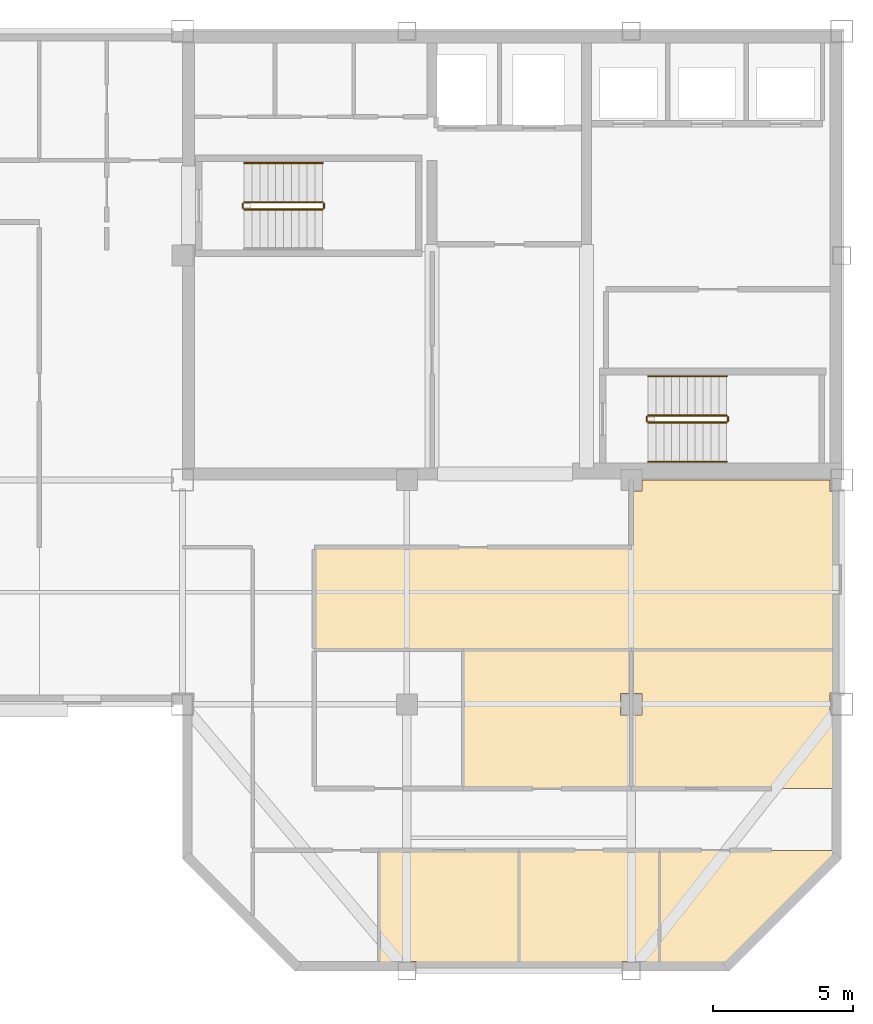
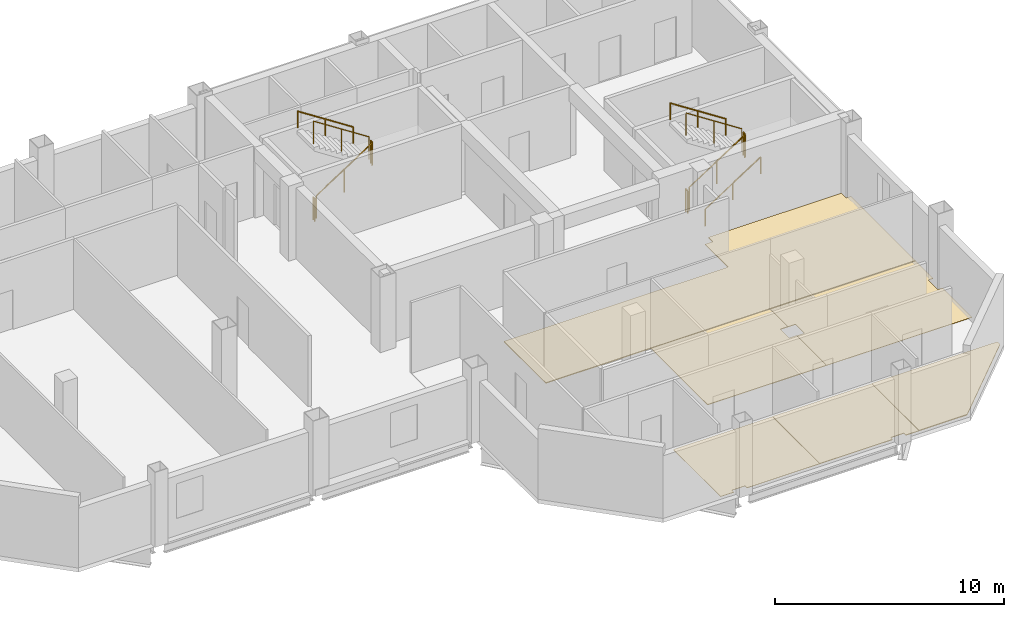
# One storey, part 6 of 7: 11 railings, 6 coverings.
"""IFC4 building model written with IfcOpenShell, lengths in metres."""

from ifc_helpers import new_model, si_unit, direction, frame, origin, origin_2d, place, context, subcontext, project, spatial, polyline, circle, outline, extrude, material, layer, layer_set, type_object, element, save


model = new_model("IFC4")

# Units and contexts
model_context = context("Model", 3, precision=1e-05, world=origin(), true_north=direction((0.0, 1.0)))
body_context = subcontext(model_context, "Body", "Model", "MODEL_VIEW")
ifc_project = project(units=[si_unit("LENGTHUNIT", "METRE"), si_unit("AREAUNIT", "SQUARE_METRE"), si_unit("VOLUMEUNIT", "CUBIC_METRE"), si_unit("PLANEANGLEUNIT", "RADIAN"), si_unit("MASSUNIT", "GRAM", prefix="KILO")], contexts=[model_context])

# Site, building, storey
site_placement = place(None, origin())
site = spatial("IfcSite", under=ifc_project, at=site_placement, CompositionType="ELEMENT")
building_placement = place(site_placement, origin())
building = spatial("IfcBuilding", under=site, at=building_placement, Name="Qianrong Seaharbour Tower", CompositionType="ELEMENT")
storey_placement = place(building_placement, frame((0.0, 0.0, 351.199951171875)))
storey = spatial("IfcBuildingStorey", under=building, at=storey_placement, Name="L85", CompositionType="ELEMENT", Elevation=351.199951171875)

# Coverings
ifc_material_1 = material(Name="Acoustic modular carpet tile flooring")
ifc_layer_1 = layer(ifc_material_1, 0.02001953125)
ifc_layer_set_1 = layer_set([ifc_layer_1], Name="Acoustic modular carpet tile flooring")
covering_type_1 = type_object("IfcCoveringType", Name="COV-FLOOR-CARPET-20", PredefinedType="FLOORING", material=ifc_layer_set_1)
covering_1_placement = place(storey_placement, origin())
element("IfcCovering", 1, at=covering_1_placement, inside=storey, type_object=covering_type_1, Name="L85 Trade Meeting Room 3 Finish Flooring", PredefinedType="FLOORING", context=body_context, shape_type="SweptSolid", body=[
    extrude(outline(polyline([(63.8349609375, 29.949951171875), (63.8349609375, 28.409912109375), (63.590087890625, 28.409912109375), (63.590087890625, 27.590087890625), (63.8349609375, 27.590087890625), (63.8349609375, 25.0), (56.5, 25.0), (56.5, 27.614990234375), (56.885009765625, 27.614990234375), (56.885009765625, 28.385009765625), (56.5, 28.385009765625), (56.5, 29.949951171875), (63.8349609375, 29.949951171875)])), origin(), (0.0, 0.0, 1.0), 0.02001953125),
])
covering_2_placement = place(storey_placement, origin())
element("IfcCovering", 2, at=covering_2_placement, inside=storey, type_object=covering_type_1, Name="L85 Contract Signing Room 2 Finish Flooring", PredefinedType="FLOORING", context=body_context, shape_type="SweptSolid", body=[
    extrude(outline(polyline([(52.5, 18.6650390625), (48.8349609375, 18.6650390625), (48.8349609375, 18.8349609375), (48.1650390625, 18.8349609375), (48.1650390625, 18.6650390625), (47.5, 18.6650390625), (47.5, 22.800048828125), (52.5, 22.800048828125), (52.5, 18.6650390625)])), origin(), (0.0, 0.0, 1.0), 0.02001953125),
])
ifc_material_2 = material(Name="Honed granite stone flooring", Category="masonry")
ifc_layer_2 = layer(ifc_material_2, 0.030029296875)
ifc_layer_set_2 = layer_set([ifc_layer_2], Name="Honed granite stone flooring")
covering_type_2 = type_object("IfcCoveringType", Name="COV-FLOOR-GRANITE-30", PredefinedType="FLOORING", material=ifc_layer_set_2)
covering_3_placement = place(storey_placement, origin())
element("IfcCovering", 3, at=covering_3_placement, inside=storey, type_object=covering_type_2, Name="L85 Port Equipment Showroom 2 Finish Flooring", PredefinedType="FLOORING", context=body_context, shape_type="SweptSolid", body=[
    extrude(outline(polyline([(56.5, 29.949951171875), (56.5, 28.385009765625), (56.114990234375, 28.385009765625), (56.114990234375, 27.614990234375), (56.5, 27.614990234375), (56.5, 25.0), (50.5, 25.0), (50.5, 29.949951171875), (56.5, 29.949951171875)])), origin(), (0.0, 0.0, 1.0), 0.030029296875),
])
covering_4_placement = place(storey_placement, origin())
element("IfcCovering", 4, at=covering_4_placement, inside=storey, type_object=covering_type_2, Name="L85 Marine Showcase Showroom 3 Finish Flooring", PredefinedType="FLOORING", context=body_context, shape_type="SweptSolid", body=[
    extrude(outline(polyline([(57.5, 18.6650390625), (56.8349609375, 18.6650390625), (56.8349609375, 18.8349609375), (56.1650390625, 18.8349609375), (56.1650390625, 18.6650390625), (52.5, 18.6650390625), (52.5, 22.800048828125), (57.5, 22.800048828125), (57.5, 18.6650390625)])), origin(), (0.0, 0.0, 1.0), 0.030029296875),
])
ifc_material_3 = material(Name="Calcium-sulphate raised access floor tile")
ifc_layer_3 = layer(ifc_material_3, 0.044921875)
ifc_layer_set_3 = layer_set([ifc_layer_3], Name="Calcium-sulphate raised access floor tile")
covering_type_3 = type_object("IfcCoveringType", Name="COV-FLOOR-RAISED-45", PredefinedType="FLOORING", material=ifc_layer_set_3)
covering_5_placement = place(storey_placement, origin())
element("IfcCovering", 5, at=covering_5_placement, inside=storey, type_object=covering_type_3, Name="L85 Commercial Desk Open-Plan Office Finish Flooring", PredefinedType="FLOORING", context=body_context, shape_type="SweptSolid", body=[
    extrude(outline(polyline([(56.5, 33.60009765625), (56.5, 35.614990234375), (56.885009765625, 35.614990234375), (56.885009765625, 36.0), (63.590087890625, 36.0), (63.590087890625, 35.590087890625), (63.8349609375, 35.590087890625), (63.8349609375, 29.949951171875), (45.199951171875, 29.949951171875), (45.199951171875, 33.60009765625), (56.5, 33.60009765625)])), origin(), (0.0, 0.0, 1.0), 0.045166015625),
])
covering_6_placement = place(storey_placement, origin())
element("IfcCovering", 6, at=covering_6_placement, inside=storey, type_object=covering_type_3, Name="L85 Brokerage Office 4 Finish Flooring", PredefinedType="FLOORING", context=body_context, shape_type="SweptSolid", body=[
    extrude(outline(polyline([(63.8349609375, 22.568359375), (59.931640625, 18.6650390625), (57.5, 18.6650390625), (57.5, 22.800048828125), (63.8349609375, 22.800048828125), (63.8349609375, 22.568359375)])), origin(), (0.0, 0.0, 1.0), 0.045166015625),
])

# Railings
ifc_material_4 = material(Name="Galvanized painted steel SN400B stair guard", Category="steel")
railing_type_1 = type_object("IfcRailingType", Name="RAIL-STAIR-GUARD-1220", PredefinedType="GUARDRAIL", material=ifc_material_4)
railing_1_placement = place(storey_placement, frame((42.699951171875, 45.64990234375, 0.181884765625)))
element("IfcRailing", 7, at=railing_1_placement, inside=storey, type_object=railing_type_1, Name="L85 ST-1 stair guard 1", PredefinedType="GUARDRAIL", context=body_context, shape_type="SweptSolid", body=[
    extrude(circle(Radius=0.02392578125, at=origin_2d()), frame((0.0, 0.0, 1.19580078125), z_axis=(0.838705829183, 0.0, 0.544584733623), x_axis=(0.0, 1.0, 0.0)), (0.0, 0.0, 1.0), 3.338623046875),
    extrude(circle(Radius=0.02099609375, at=origin_2d()), origin(), (0.0, 0.0, 1.0), 1.171875),
    extrude(circle(Radius=0.02099609375, at=origin_2d()), frame((1.39990234375, 0.0, 0.9091796875)), (0.0, 0.0, 1.0), 1.171875),
    extrude(circle(Radius=0.02099609375, at=origin_2d()), frame((2.800048828125, 0.0, 1.818115234375)), (0.0, 0.0, 1.0), 1.171875),
])
railing_2_placement = place(storey_placement, frame((45.550048828125, 45.699951171875, 2.0)))
element("IfcRailing", 8, at=railing_2_placement, inside=storey, type_object=railing_type_1, Name="L85 ST-1 stair guard 2", PredefinedType="GUARDRAIL", context=body_context, shape_type="SweptSolid", body=[
    extrude(circle(Radius=0.02392578125, at=origin_2d()), frame((0.0, 0.0, 1.19580078125), z_axis=(0.0, 1.0, 0.0), x_axis=(-1.0, 0.0, 0.0)), (0.0, 0.0, 1.0), 0.150146484375),
    extrude(circle(Radius=0.02099609375, at=origin_2d()), origin(), (0.0, 0.0, 1.0), 1.171875),
    extrude(circle(Radius=0.02099609375, at=origin_2d()), frame((0.0, 0.150146484375, 0.0)), (0.0, 0.0, 1.0), 1.171875),
])
railing_3_placement = place(storey_placement, frame((45.5, 45.89990234375, 2.181884765625)))
element("IfcRailing", 9, at=railing_3_placement, inside=storey, type_object=railing_type_1, Name="L85 ST-1 stair guard 3", PredefinedType="GUARDRAIL", context=body_context, shape_type="SweptSolid", body=[
    extrude(circle(Radius=0.02392578125, at=origin_2d()), frame((0.0, 0.0, 1.19580078125), z_axis=(-0.838705829183, 0.0, 0.544584733623), x_axis=(0.0, -1.0, 0.0)), (0.0, 0.0, 1.0), 3.338623046875),
    extrude(circle(Radius=0.02099609375, at=origin_2d()), origin(), (0.0, 0.0, 1.0), 1.171875),
    extrude(circle(Radius=0.02099609375, at=origin_2d()), frame((-1.39990234375, 0.0, 0.9091796875)), (0.0, 0.0, 1.0), 1.171875),
    extrude(circle(Radius=0.02099609375, at=origin_2d()), frame((-2.800048828125, 0.0, 1.818115234375)), (0.0, 0.0, 1.0), 1.171875),
])
railing_4_placement = place(storey_placement, frame((42.64990234375, 45.699951171875, 0.0)))
element("IfcRailing", 10, at=railing_4_placement, inside=storey, type_object=railing_type_1, Name="L85 ST-1 stair guard 4", PredefinedType="GUARDRAIL", context=body_context, shape_type="SweptSolid", body=[
    extrude(circle(Radius=0.02392578125, at=origin_2d()), frame((0.0, 0.0, 1.19580078125), z_axis=(0.0, 1.0, 0.0), x_axis=(-1.0, 0.0, 0.0)), (0.0, 0.0, 1.0), 0.150146484375),
    extrude(circle(Radius=0.02099609375, at=origin_2d()), origin(), (0.0, 0.0, 1.0), 1.171875),
    extrude(circle(Radius=0.02099609375, at=origin_2d()), frame((0.0, 0.150146484375, 0.0)), (0.0, 0.0, 1.0), 1.171875),
])
railing_5_placement = place(storey_placement, frame((57.10009765625, 38.050048828125, 0.181884765625)))
element("IfcRailing", 11, at=railing_5_placement, inside=storey, type_object=railing_type_1, Name="L85 ST-2 stair guard 1", PredefinedType="GUARDRAIL", context=body_context, shape_type="SweptSolid", body=[
    extrude(circle(Radius=0.02392578125, at=origin_2d()), frame((0.0, 0.0, 1.19580078125), z_axis=(0.83868413941, 0.0, 0.544618136222), x_axis=(0.0, 1.0, 0.0)), (0.0, 0.0, 1.0), 3.33837890625),
    extrude(circle(Radius=0.02099609375, at=origin_2d()), origin(), (0.0, 0.0, 1.0), 1.171875),
    extrude(circle(Radius=0.02099609375, at=origin_2d()), frame((1.39990234375, 0.0, 0.9091796875)), (0.0, 0.0, 1.0), 1.171875),
    extrude(circle(Radius=0.02099609375, at=origin_2d()), frame((2.7998046875, 0.0, 1.818115234375)), (0.0, 0.0, 1.0), 1.171875),
])
railing_6_placement = place(storey_placement, frame((59.949951171875, 38.10009765625, 2.0)))
element("IfcRailing", 12, at=railing_6_placement, inside=storey, type_object=railing_type_1, Name="L85 ST-2 stair guard 2", PredefinedType="GUARDRAIL", context=body_context, shape_type="SweptSolid", body=[
    extrude(circle(Radius=0.02392578125, at=origin_2d()), frame((0.0, 0.0, 1.19580078125), z_axis=(0.0, 1.0, 0.0), x_axis=(-1.0, 0.0, 0.0)), (0.0, 0.0, 1.0), 0.14990234375),
    extrude(circle(Radius=0.02099609375, at=origin_2d()), origin(), (0.0, 0.0, 1.0), 1.171875),
    extrude(circle(Radius=0.02099609375, at=origin_2d()), frame((0.0, 0.14990234375, 0.0)), (0.0, 0.0, 1.0), 1.171875),
])
railing_7_placement = place(storey_placement, frame((59.89990234375, 38.300048828125, 2.181884765625)))
element("IfcRailing", 13, at=railing_7_placement, inside=storey, type_object=railing_type_1, Name="L85 ST-2 stair guard 3", PredefinedType="GUARDRAIL", context=body_context, shape_type="SweptSolid", body=[
    extrude(circle(Radius=0.02392578125, at=origin_2d()), frame((0.0, 0.0, 1.19580078125), z_axis=(-0.83868413941, 0.0, 0.544618136222), x_axis=(0.0, -1.0, 0.0)), (0.0, 0.0, 1.0), 3.33837890625),
    extrude(circle(Radius=0.02099609375, at=origin_2d()), origin(), (0.0, 0.0, 1.0), 1.171875),
    extrude(circle(Radius=0.02099609375, at=origin_2d()), frame((-1.39990234375, 0.0, 0.9091796875)), (0.0, 0.0, 1.0), 1.171875),
    extrude(circle(Radius=0.02099609375, at=origin_2d()), frame((-2.7998046875, 0.0, 1.818115234375)), (0.0, 0.0, 1.0), 1.171875),
])
railing_8_placement = place(storey_placement, frame((57.050048828125, 38.10009765625, 0.0)))
element("IfcRailing", 14, at=railing_8_placement, inside=storey, type_object=railing_type_1, Name="L85 ST-2 stair guard 4", PredefinedType="GUARDRAIL", context=body_context, shape_type="SweptSolid", body=[
    extrude(circle(Radius=0.02392578125, at=origin_2d()), frame((0.0, 0.0, 1.19580078125), z_axis=(0.0, 1.0, 0.0), x_axis=(-1.0, 0.0, 0.0)), (0.0, 0.0, 1.0), 0.14990234375),
    extrude(circle(Radius=0.02099609375, at=origin_2d()), origin(), (0.0, 0.0, 1.0), 1.171875),
    extrude(circle(Radius=0.02099609375, at=origin_2d()), frame((0.0, 0.14990234375, 0.0)), (0.0, 0.0, 1.0), 1.171875),
])
ifc_material_5 = material(Name="Stainless steel SUS316L continuous handrail", Category="steel")
railing_type_2 = type_object("IfcRailingType", Name="RAIL-STAIR-HANDRAIL-900", PredefinedType="HANDRAIL", material=ifc_material_5)
railing_9_placement = place(storey_placement, frame((45.5, 47.300048828125, 2.181884765625)))
element("IfcRailing", 15, at=railing_9_placement, inside=storey, type_object=railing_type_2, Name="L85 ST-1 stair handrail 2", PredefinedType="HANDRAIL", context=body_context, shape_type="SweptSolid", body=[
    extrude(circle(Radius=0.02392578125, at=origin_2d()), frame((0.0, 0.0, 0.8759765625), z_axis=(-0.838705829183, 0.0, 0.544584733623), x_axis=(0.0, -1.0, 0.0)), (0.0, 0.0, 1.0), 3.338623046875),
    extrude(circle(Radius=0.02099609375, at=origin_2d()), origin(), (0.0, 0.0, 1.0), 0.851806640625),
    extrude(circle(Radius=0.02099609375, at=origin_2d()), frame((-1.39990234375, 0.0, 0.9091796875)), (0.0, 0.0, 1.0), 0.851806640625),
    extrude(circle(Radius=0.02099609375, at=origin_2d()), frame((-2.800048828125, 0.0, 1.818115234375)), (0.0, 0.0, 1.0), 0.851806640625),
])
railing_10_placement = place(storey_placement, frame((57.10009765625, 36.64990234375, 0.181884765625)))
element("IfcRailing", 16, at=railing_10_placement, inside=storey, type_object=railing_type_2, Name="L85 ST-2 stair handrail 1", PredefinedType="HANDRAIL", context=body_context, shape_type="SweptSolid", body=[
    extrude(circle(Radius=0.02392578125, at=origin_2d()), frame((0.0, 0.0, 0.8759765625), z_axis=(0.83868413941, 0.0, 0.544618136222), x_axis=(0.0, 1.0, 0.0)), (0.0, 0.0, 1.0), 3.33837890625),
    extrude(circle(Radius=0.02099609375, at=origin_2d()), origin(), (0.0, 0.0, 1.0), 0.851806640625),
    extrude(circle(Radius=0.02099609375, at=origin_2d()), frame((1.39990234375, 0.0, 0.9091796875)), (0.0, 0.0, 1.0), 0.851806640625),
    extrude(circle(Radius=0.02099609375, at=origin_2d()), frame((2.7998046875, 0.0, 1.818115234375)), (0.0, 0.0, 1.0), 0.851806640625),
])
railing_11_placement = place(storey_placement, frame((59.89990234375, 39.699951171875, 2.181884765625)))
element("IfcRailing", 17, at=railing_11_placement, inside=storey, type_object=railing_type_2, Name="L85 ST-2 stair handrail 2", PredefinedType="HANDRAIL", context=body_context, shape_type="SweptSolid", body=[
    extrude(circle(Radius=0.02392578125, at=origin_2d()), frame((0.0, 0.0, 0.8759765625), z_axis=(-0.83868413941, 0.0, 0.544618136222), x_axis=(0.0, -1.0, 0.0)), (0.0, 0.0, 1.0), 3.33837890625),
    extrude(circle(Radius=0.02099609375, at=origin_2d()), origin(), (0.0, 0.0, 1.0), 0.851806640625),
    extrude(circle(Radius=0.02099609375, at=origin_2d()), frame((-1.39990234375, 0.0, 0.9091796875)), (0.0, 0.0, 1.0), 0.851806640625),
    extrude(circle(Radius=0.02099609375, at=origin_2d()), frame((-2.7998046875, 0.0, 1.818115234375)), (0.0, 0.0, 1.0), 0.851806640625),
])

save(model, "model.ifc")
